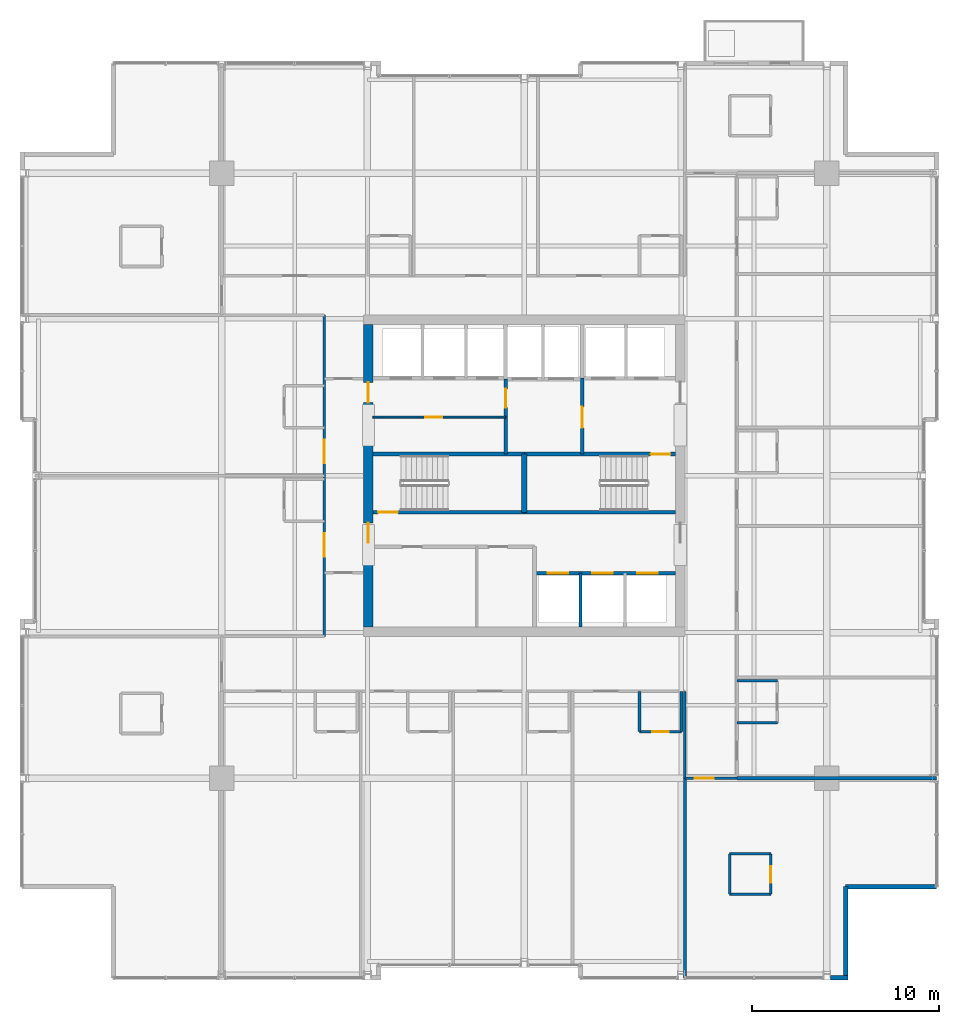
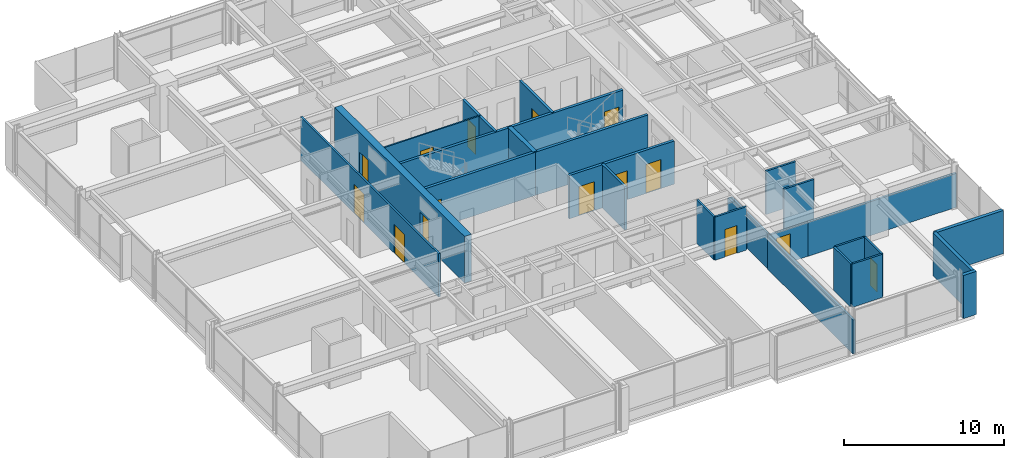
# One storey, part 28 of 33: 28 walls, 15 doors, 15 openings.
"""IFC4 building model written with IfcOpenShell, lengths in metres."""

from ifc_helpers import new_model, si_unit, direction, frame, frame_2d, origin, place, context, subcontext, project, spatial, rectangle, extrude, material, layer, layer_set, type_object, element, fill, save


model = new_model("IFC4")

# Units and contexts
model_context = context("Model", 3, precision=1e-05, world=origin(), true_north=direction((0.0, 1.0)))
body_context = subcontext(model_context, "Body", "Model", "MODEL_VIEW")
ifc_project = project(units=[si_unit("LENGTHUNIT", "METRE"), si_unit("AREAUNIT", "SQUARE_METRE"), si_unit("VOLUMEUNIT", "CUBIC_METRE"), si_unit("PLANEANGLEUNIT", "RADIAN"), si_unit("MASSUNIT", "GRAM", prefix="KILO")], contexts=[model_context])

# Site, building, storey
site_placement = place(None, origin())
site = spatial("IfcSite", under=ifc_project, at=site_placement, CompositionType="ELEMENT")
building_placement = place(site_placement, origin())
building = spatial("IfcBuilding", under=site, at=building_placement, Name="Drelvath Grand Hotel", CompositionType="ELEMENT")
storey_placement = place(building_placement, frame((0.0, 0.0, 171.699951171875)))
storey = spatial("IfcBuildingStorey", under=building, at=storey_placement, Name="L44", CompositionType="ELEMENT", Elevation=171.699951171875)

# Wall, opening, door
ifc_material_1 = material(Name="Gypsum Partition Board")
ifc_layer_1 = layer(ifc_material_1, 0.10009765625)
ifc_layer_set_1 = layer_set([ifc_layer_1], Name="Gypsum Partition Board")
wall_type_1 = type_object("IfcWallType", Name="Core Closet Partition 100", PredefinedType="PARTITIONING", material=ifc_layer_set_1)
wall_1_placement = place(storey_placement, frame((-8.10009765625, 30.139892578125, 0.0), z_axis=(0.0, 0.0, 1.0), x_axis=(1.0, 0.0, 0.0)))
wall_1 = element("IfcWall", 1, at=wall_1_placement, inside=storey, type_object=wall_type_1, Name="L44 High-Rise Lobby Closet Wall", PredefinedType="PARTITIONING", context=body_context, shape_type="SweptSolid", body=[
    extrude(rectangle(XDim=7.10009765625, YDim=0.10009765625, at=frame_2d((3.550048828125, 0.0))), origin(), (0.0, 0.0, 1.0), 3.2900390625),
])
opening_1_placement = place(wall_1_placement, frame((2.800048828125, 0.0, 0.0)))
opening_1 = element("IfcOpeningElement", 2, at=opening_1_placement, cuts=wall_1, Name="Opening D-T3G3-014", PredefinedType="OPENING", context=body_context, shape_type="SweptSolid", body=[
    extrude(rectangle(XDim=0.919921875, YDim=2.10009765625, at=frame_2d((0.4599609375, 1.050048828125))), frame((0.0, 0.06005859375, 0.0), z_axis=(0.0, -1.0, 0.0), x_axis=(1.0, 0.0, 0.0)), (0.0, 0.0, 1.0), 0.1201171875),
])
ifc_material_2 = material(Name="Painted Steel S275", Category="steel")
door_type_1 = type_object("IfcDoorType", Name="Staff Utility Door 920x2100", OperationType="NOTDEFINED", PredefinedType="DOOR", material=ifc_material_2)
door_1_placement = place(opening_1_placement, origin())
door_1 = element("IfcDoor", 3, at=door_1_placement, inside=storey, type_object=door_type_1, Name="L44 Core Telecom Door", OperationType="SINGLE_SWING_LEFT", OverallHeight=2.10009765625, OverallWidth=0.919921875, PredefinedType="DOOR", context=body_context, shape_type="SweptSolid", body=[
    extrude(rectangle(XDim=0.919921875, YDim=2.10009765625, at=frame_2d((0.4599609375, 1.050048828125))), frame((0.0, 0.02490234375, 0.0), z_axis=(0.0, -1.0, 0.0), x_axis=(1.0, 0.0, 0.0)), (0.0, 0.0, 1.0), 0.050048828125),
])
fill(opening_1, door_1)

# Wall, openings, doors
ifc_material_3 = material(Name="Concrete C40/50", Category="concrete")
ifc_layer_2 = layer(ifc_material_3, 0.199951171875)
ifc_layer_set_2 = layer_set([ifc_layer_2], Name="Concrete C40/50")
wall_type_2 = type_object("IfcWallType", Name="Core Hoistway Fire Wall 200", PredefinedType="SOLIDWALL", material=ifc_layer_set_2)
wall_2_placement = place(storey_placement, frame((8.10009765625, 21.780029296875, 0.0), z_axis=(0.0, 0.0, 1.0), x_axis=(-1.0, 0.0, 0.0)))
wall_2 = element("IfcWall", 4, at=wall_2_placement, inside=storey, type_object=wall_type_2, Name="L44 Bank 2 Hoistway Wall", PredefinedType="SOLIDWALL", context=body_context, shape_type="SweptSolid", body=[
    extrude(rectangle(XDim=7.550048828125, YDim=0.199951171875, at=frame_2d((3.77490234375, 0.0))), origin(), (0.0, 0.0, 1.0), 3.2900390625),
])
opening_2_placement = place(wall_2_placement, frame((5.75, 0.0, 0.0)))
opening_2 = element("IfcOpeningElement", 5, at=opening_2_placement, cuts=wall_2, Name="Opening LD-PE-4", PredefinedType="OPENING", context=body_context, shape_type="SweptSolid", body=[
    extrude(rectangle(XDim=1.10009765625, YDim=2.199951171875, at=frame_2d((0.550048828125, 1.10009765625))), frame((0.0, 0.10986328125, 0.0), z_axis=(0.0, -1.0, 0.0), x_axis=(1.0, 0.0, 0.0)), (0.0, 0.0, 1.0), 0.219970703125),
])
opening_3_placement = place(wall_2_placement, frame((3.35009765625, 0.0, 0.0)))
opening_3 = element("IfcOpeningElement", 6, at=opening_3_placement, cuts=wall_2, Name="Opening LD-PE-5", PredefinedType="OPENING", context=body_context, shape_type="SweptSolid", body=[
    extrude(rectangle(XDim=1.10009765625, YDim=2.199951171875, at=frame_2d((0.550048828125, 1.10009765625))), frame((0.0, 0.10986328125, 0.0), z_axis=(0.0, -1.0, 0.0), x_axis=(1.0, 0.0, 0.0)), (0.0, 0.0, 1.0), 0.219970703125),
])
opening_4_placement = place(wall_2_placement, frame((0.949951171875, 0.0, 0.0)))
opening_4 = element("IfcOpeningElement", 7, at=opening_4_placement, cuts=wall_2, Name="Opening LD-PE-6", PredefinedType="OPENING", context=body_context, shape_type="SweptSolid", body=[
    extrude(rectangle(XDim=1.10009765625, YDim=2.199951171875, at=frame_2d((0.550048828125, 1.10009765625))), frame((0.0, 0.10986328125, 0.0), z_axis=(0.0, -1.0, 0.0), x_axis=(1.0, 0.0, 0.0)), (0.0, 0.0, 1.0), 0.219970703125),
])
ifc_material_4 = material(Name="Stainless Steel S355", Category="steel")
door_type_2 = type_object("IfcDoorType", Name="Passenger Lift Sliding Landing Door 1100x2200", OperationType="NOTDEFINED", PredefinedType="DOOR", material=ifc_material_4)
door_2_placement = place(opening_2_placement, origin())
door_2 = element("IfcDoor", 8, at=door_2_placement, inside=storey, type_object=door_type_2, Name="L44 Lift PE-4 Landing Door", OperationType="SLIDING_TO_LEFT", OverallHeight=2.199951171875, OverallWidth=1.10009765625, PredefinedType="DOOR", context=body_context, shape_type="SweptSolid", body=[
    extrude(rectangle(XDim=1.10009765625, YDim=2.199951171875, at=frame_2d((0.550048828125, 1.10009765625))), frame((0.0, 0.02490234375, 0.0), z_axis=(0.0, -1.0, 0.0), x_axis=(1.0, 0.0, 0.0)), (0.0, 0.0, 1.0), 0.050048828125),
])
fill(opening_2, door_2)
door_3_placement = place(opening_3_placement, origin())
door_3 = element("IfcDoor", 9, at=door_3_placement, inside=storey, type_object=door_type_2, Name="L44 Lift PE-5 Landing Door", OperationType="SLIDING_TO_LEFT", OverallHeight=2.199951171875, OverallWidth=1.10009765625, PredefinedType="DOOR", context=body_context, shape_type="SweptSolid", body=[
    extrude(rectangle(XDim=1.10009765625, YDim=2.199951171875, at=frame_2d((0.550048828125, 1.10009765625))), frame((0.0, 0.02490234375, 0.0), z_axis=(0.0, -1.0, 0.0), x_axis=(1.0, 0.0, 0.0)), (0.0, 0.0, 1.0), 0.050048828125),
])
fill(opening_3, door_3)
door_4_placement = place(opening_4_placement, origin())
door_4 = element("IfcDoor", 10, at=door_4_placement, inside=storey, type_object=door_type_2, Name="L44 Lift PE-6 Landing Door", OperationType="SLIDING_TO_LEFT", OverallHeight=2.199951171875, OverallWidth=1.10009765625, PredefinedType="DOOR", context=body_context, shape_type="SweptSolid", body=[
    extrude(rectangle(XDim=1.10009765625, YDim=2.199951171875, at=frame_2d((0.550048828125, 1.10009765625))), frame((0.0, 0.02490234375, 0.0), z_axis=(0.0, -1.0, 0.0), x_axis=(1.0, 0.0, 0.0)), (0.0, 0.0, 1.0), 0.050048828125),
])
fill(opening_4, door_4)

# Wall, opening, door
ifc_layer_3 = layer(ifc_material_3, 0.199951171875)
ifc_layer_set_3 = layer_set([ifc_layer_3], Name="Concrete C40/50")
wall_type_3 = type_object("IfcWallType", Name="Core Shaft Fire Wall 200", PredefinedType="SOLIDWALL", material=ifc_layer_set_3)
wall_3_placement = place(storey_placement, frame((-8.10009765625, 25.0400390625, 0.0), z_axis=(0.0, 0.0, 1.0), x_axis=(1.0, 0.0, 0.0)))
wall_3 = element("IfcWall", 11, at=wall_3_placement, inside=storey, type_object=wall_type_3, Name="L44 Stair ST-1 South Wall", PredefinedType="SOLIDWALL", context=body_context, shape_type="SweptSolid", body=[
    extrude(rectangle(XDim=8.10009765625, YDim=0.199951171875, at=frame_2d((4.050048828125, 0.0))), origin(), (0.0, 0.0, 1.0), 3.2900390625),
])
opening_5_placement = place(wall_3_placement, frame((0.280029296875, 0.0, 0.0)))
opening_5 = element("IfcOpeningElement", 12, at=opening_5_placement, cuts=wall_3, Name="Opening D-T3G3-001", PredefinedType="OPENING", context=body_context, shape_type="SweptSolid", body=[
    extrude(rectangle(XDim=1.050048828125, YDim=2.10009765625, at=frame_2d((0.52490234375, 1.050048828125))), frame((0.0, 0.10986328125, 0.0), z_axis=(0.0, -1.0, 0.0), x_axis=(1.0, 0.0, 0.0)), (0.0, 0.0, 1.0), 0.219970703125),
])
door_type_3 = type_object("IfcDoorType", Name="Tower Stairwell Fire Door 1050x2100", OperationType="NOTDEFINED", PredefinedType="DOOR", material=ifc_material_2)
door_5_placement = place(opening_5_placement, origin())
door_5 = element("IfcDoor", 13, at=door_5_placement, inside=storey, type_object=door_type_3, Name="L44 Exit Stair ST-1 Door", OperationType="SINGLE_SWING_LEFT", OverallHeight=2.10009765625, OverallWidth=1.050048828125, PredefinedType="DOOR", context=body_context, shape_type="SweptSolid", body=[
    extrude(rectangle(XDim=1.050048828125, YDim=2.10009765625, at=frame_2d((0.52490234375, 1.050048828125))), frame((0.0, 0.02490234375, 0.0), z_axis=(0.0, -1.0, 0.0), x_axis=(1.0, 0.0, 0.0)), (0.0, 0.0, 1.0), 0.050048828125),
])
fill(opening_5, door_5)

# Walls
for number, where, z_axis, x_axis, name in (
    (14, (-8.10009765625, 28.159912109375, 0.0), (0.0, 0.0, 1.0), (1.0, 0.0, 0.0), "L44 Stair ST-1 North Wall"),
    (15, (0.0, 25.0400390625, 0.0), (0.0, 0.0, 1.0), (1.0, 0.0, 0.0), "L44 Stair ST-2 South Wall"),
):
    element("IfcWall", number, at=place(storey_placement, frame(where, z_axis=z_axis, x_axis=x_axis)), inside=storey, type_object=wall_type_3, Name=name, PredefinedType="SOLIDWALL", context=body_context, shape_type="SweptSolid", body=[
        extrude(rectangle(XDim=8.10009765625, YDim=0.199951171875, at=frame_2d((4.050048828125, 0.0))), origin(), (0.0, 0.0, 1.0), 3.2900390625),
    ])

# Wall, opening, door
wall_4_placement = place(storey_placement, frame((8.10009765625, 28.159912109375, 0.0), z_axis=(0.0, 0.0, 1.0), x_axis=(-1.0, 0.0, 0.0)))
wall_4 = element("IfcWall", 16, at=wall_4_placement, inside=storey, type_object=wall_type_3, Name="L44 Stair ST-2 North Wall", PredefinedType="SOLIDWALL", context=body_context, shape_type="SweptSolid", body=[
    extrude(rectangle(XDim=8.10009765625, YDim=0.199951171875, at=frame_2d((4.050048828125, 0.0))), origin(), (0.0, 0.0, 1.0), 3.2900390625),
])
opening_6_placement = place(wall_4_placement, frame((0.280029296875, 0.0, 0.0)))
opening_6 = element("IfcOpeningElement", 17, at=opening_6_placement, cuts=wall_4, Name="Opening D-T3G3-002", PredefinedType="OPENING", context=body_context, shape_type="SweptSolid", body=[
    extrude(rectangle(XDim=1.050048828125, YDim=2.10009765625, at=frame_2d((0.52490234375, 1.050048828125))), frame((0.0, 0.10986328125, 0.0), z_axis=(0.0, -1.0, 0.0), x_axis=(1.0, 0.0, 0.0)), (0.0, 0.0, 1.0), 0.219970703125),
])
door_6_placement = place(opening_6_placement, origin())
door_6 = element("IfcDoor", 18, at=door_6_placement, inside=storey, type_object=door_type_3, Name="L44 Exit Stair ST-2 Door", OperationType="SINGLE_SWING_LEFT", OverallHeight=2.10009765625, OverallWidth=1.050048828125, PredefinedType="DOOR", context=body_context, shape_type="SweptSolid", body=[
    extrude(rectangle(XDim=1.050048828125, YDim=2.10009765625, at=frame_2d((0.52490234375, 1.050048828125))), frame((0.0, 0.02490234375, 0.0), z_axis=(0.0, -1.0, 0.0), x_axis=(1.0, 0.0, 0.0)), (0.0, 0.0, 1.0), 0.050048828125),
])
fill(opening_6, door_6)

# Walls
ifc_layer_4 = layer(ifc_material_3, 0.300048828125)
ifc_layer_set_4 = layer_set([ifc_layer_4], Name="Concrete C40/50")
wall_type_4 = type_object("IfcWallType", Name="Core Shaft Fire Wall 300", PredefinedType="SOLIDWALL", material=ifc_layer_set_4)
wall_5_placement = place(storey_placement, frame((0.0, 25.0400390625, 0.0), z_axis=(0.0, 0.0, 1.0), x_axis=(0.0, 1.0, 0.0)))
element("IfcWall", 19, at=wall_5_placement, inside=storey, type_object=wall_type_4, Name="L44 Core Stair Divider Wall", PredefinedType="SOLIDWALL", context=body_context, shape_type="SweptSolid", body=[
    extrude(rectangle(XDim=3.119873046875, YDim=0.300048828125, at=frame_2d((1.56005859375, 0.0))), origin(), (0.0, 0.0, 1.0), 3.2900390625),
])
ifc_material_5 = material(Name="Gypsum Fireboard Partition")
ifc_layer_5 = layer(ifc_material_5, 0.1650390625)
ifc_layer_set_5 = layer_set([ifc_layer_5], Name="Gypsum Fireboard Partition")
wall_type_5 = type_object("IfcWallType", Name="Core Shaft Partition 165", PredefinedType="PARTITIONING", material=ifc_layer_set_5)
wall_6_placement = place(storey_placement, frame((3.0, 18.89990234375, 0.0), z_axis=(0.0, 0.0, 1.0), x_axis=(0.0, 1.0, 0.0)))
element("IfcWall", 20, at=wall_6_placement, inside=storey, type_object=wall_type_5, Name="L44 Lift PE-4/5 Divider", PredefinedType="PARTITIONING", context=body_context, shape_type="SweptSolid", body=[
    extrude(rectangle(XDim=2.880126953125, YDim=0.1650390625, at=frame_2d((1.43994140625, 0.0))), origin(), (0.0, 0.0, 1.0), 3.2900390625),
])
ifc_layer_6 = layer(ifc_material_5, 0.135009765625)
ifc_layer_set_6 = layer_set([ifc_layer_6], Name="Gypsum Fireboard Partition")
wall_type_6 = type_object("IfcWallType", Name="Corridor Fire Barrier Wall 135", PredefinedType="PARTITIONING", material=ifc_layer_set_6)
wall_7_placement = place(storey_placement, frame((8.60009765625, 10.800048828125, 0.0), z_axis=(0.0, 0.0, 1.0), x_axis=(0.0, 1.0, 0.0)))
element("IfcWall", 21, at=wall_7_placement, inside=storey, type_object=wall_type_6, Name="L44 East Spine South Inner Wall", PredefinedType="PARTITIONING", context=body_context, shape_type="SweptSolid", body=[
    extrude(rectangle(XDim=4.64990234375, YDim=0.135009765625, at=frame_2d((2.324951171875, 0.0))), origin(), (0.0, 0.0, 1.0), 2.66748046875),
])

# Wall, openings, doors
wall_8_placement = place(storey_placement, frame((-10.699951171875, 18.39990234375, 0.0), z_axis=(0.0, 0.0, 1.0), x_axis=(0.0, 1.0, 0.0)))
wall_8 = element("IfcWall", 22, at=wall_8_placement, inside=storey, type_object=wall_type_6, Name="L44 West Spine Wall", PredefinedType="PARTITIONING", context=body_context, shape_type="SweptSolid", body=[
    extrude(rectangle(XDim=17.2001953125, YDim=0.135009765625, at=frame_2d((8.60009765625, 0.0))), origin(), (0.0, 0.0, 1.0), 3.2900390625),
])
opening_7_placement = place(wall_8_placement, frame((4.2548828125, 0.0, 0.0)))
opening_7 = element("IfcOpeningElement", 23, at=opening_7_placement, cuts=wall_8, Name="Opening D-T3G3-054", PredefinedType="OPENING", context=body_context, shape_type="SweptSolid", body=[
    extrude(rectangle(XDim=1.260009765625, YDim=2.199951171875, at=frame_2d((0.6298828125, 1.10009765625))), frame((0.0, 0.077392578125, 0.0), z_axis=(0.0, -1.0, 0.0), x_axis=(1.0, 0.0, 0.0)), (0.0, 0.0, 1.0), 0.155029296875),
])
opening_8_placement = place(wall_8_placement, frame((9.2548828125, 0.0, 0.0)))
opening_8 = element("IfcOpeningElement", 24, at=opening_8_placement, cuts=wall_8, Name="Opening D-T3G3-056", PredefinedType="OPENING", context=body_context, shape_type="SweptSolid", body=[
    extrude(rectangle(XDim=1.260009765625, YDim=2.199951171875, at=frame_2d((0.6298828125, 1.10009765625))), frame((0.0, 0.077392578125, 0.0), z_axis=(0.0, -1.0, 0.0), x_axis=(1.0, 0.0, 0.0)), (0.0, 0.0, 1.0), 0.155029296875),
])
ifc_material_6 = material(Name="Hardwood Walnut Timber", Category="wood")
door_type_4 = type_object("IfcDoorType", Name="Suite Entrance Fire Door 1260x2200", OperationType="NOTDEFINED", PredefinedType="DOOR", material=ifc_material_6)
door_7_placement = place(opening_7_placement, origin())
door_7 = element("IfcDoor", 25, at=door_7_placement, inside=storey, type_object=door_type_4, Name="L44 Executive Suite Entry Door", OperationType="SINGLE_SWING_RIGHT", OverallHeight=2.199951171875, OverallWidth=1.260009765625, PredefinedType="DOOR", context=body_context, shape_type="SweptSolid", body=[
    extrude(rectangle(XDim=1.260009765625, YDim=2.199951171875, at=frame_2d((0.6298828125, 1.10009765625))), frame((0.0, 0.02490234375, 0.0), z_axis=(0.0, -1.0, 0.0), x_axis=(1.0, 0.0, 0.0)), (0.0, 0.0, 1.0), 0.050048828125),
])
fill(opening_7, door_7)
door_8_placement = place(opening_8_placement, origin())
door_8 = element("IfcDoor", 26, at=door_8_placement, inside=storey, type_object=door_type_4, Name="L44 Executive Suite Entry Door", OperationType="SINGLE_SWING_RIGHT", OverallHeight=2.199951171875, OverallWidth=1.260009765625, PredefinedType="DOOR", context=body_context, shape_type="SweptSolid", body=[
    extrude(rectangle(XDim=1.260009765625, YDim=2.199951171875, at=frame_2d((0.6298828125, 1.10009765625))), frame((0.0, 0.02490234375, 0.0), z_axis=(0.0, -1.0, 0.0), x_axis=(1.0, 0.0, 0.0)), (0.0, 0.0, 1.0), 0.050048828125),
])
fill(opening_8, door_8)

# Wall, opening, door
wall_9_placement = place(storey_placement, frame((8.60009765625, 10.800048828125, 0.0), z_axis=(0.0, 0.0, 1.0), x_axis=(1.0, 0.0, 0.0)))
wall_9 = element("IfcWall", 27, at=wall_9_placement, inside=storey, type_object=wall_type_6, Name="L44 East Spine South End", PredefinedType="PARTITIONING", context=body_context, shape_type="SweptSolid", body=[
    extrude(rectangle(XDim=2.7998046875, YDim=0.135009765625, at=frame_2d((1.39990234375, 0.0))), origin(), (0.0, 0.0, 1.0), 2.57958984375),
])
opening_9_placement = place(wall_9_placement, frame((0.52001953125, 0.0, 0.0)))
opening_9 = element("IfcOpeningElement", 28, at=opening_9_placement, cuts=wall_9, Name="Opening D-T3G3-029", PredefinedType="OPENING", context=body_context, shape_type="SweptSolid", body=[
    extrude(rectangle(XDim=1.02001953125, YDim=2.14990234375, at=frame_2d((0.510009765625, 1.074951171875))), frame((0.0, 0.077392578125, 0.0), z_axis=(0.0, -1.0, 0.0), x_axis=(1.0, 0.0, 0.0)), (0.0, 0.0, 1.0), 0.155029296875),
])
door_type_5 = type_object("IfcDoorType", Name="Amenity Meeting Fire Door 1020x2150", OperationType="NOTDEFINED", PredefinedType="DOOR", material=ifc_material_6)
door_9_placement = place(opening_9_placement, origin())
door_9 = element("IfcDoor", 29, at=door_9_placement, inside=storey, type_object=door_type_5, Name="L44 Executive Suite Entry Door", OperationType="SINGLE_SWING_LEFT", OverallHeight=2.14990234375, OverallWidth=1.02001953125, PredefinedType="DOOR", context=body_context, shape_type="SweptSolid", body=[
    extrude(rectangle(XDim=1.02001953125, YDim=2.14990234375, at=frame_2d((0.510009765625, 1.074951171875))), frame((0.0, 0.02490234375, 0.0), z_axis=(0.0, -1.0, 0.0), x_axis=(1.0, 0.0, 0.0)), (0.0, 0.0, 1.0), 0.050048828125),
])
fill(opening_9, door_9)

# Walls
ifc_material_7 = material(Name="Moisture-Resistant Gypsum Board")
ifc_layer_7 = layer(ifc_material_7, 0.139892578125)
ifc_layer_set_7 = layer_set([ifc_layer_7], Name="Moisture-Resistant Gypsum Board")
wall_type_7 = type_object("IfcWallType", Name="En-Suite Plumbing Wall 140", PredefinedType="PLUMBINGWALL", material=ifc_layer_set_7)
for number, where, z_axis, x_axis, name in (
    (30, (11.0, 4.60009765625, 0.0), (0.0, 0.0, 1.0), (1.0, 0.0, 0.0), "L44 Corner En-Suite South"),
    (31, (11.0, 6.75, 0.0), (0.0, 0.0, 1.0), (1.0, 0.0, 0.0), "L44 Corner En-Suite North"),
):
    element("IfcWall", number, at=place(storey_placement, frame(where, z_axis=z_axis, x_axis=x_axis)), inside=storey, type_object=wall_type_7, Name=name, PredefinedType="PLUMBINGWALL", context=body_context, shape_type="SweptSolid", body=[
        extrude(rectangle(XDim=2.199951171875, YDim=0.139892578125, at=frame_2d((1.10009765625, 0.0))), origin(), (0.0, 0.0, 1.0), 3.2900390625),
    ])
wall_10_placement = place(storey_placement, frame((11.0, 4.60009765625, 0.0), z_axis=(0.0, 0.0, 1.0), x_axis=(0.0, 1.0, 0.0)))
element("IfcWall", 32, at=wall_10_placement, inside=storey, type_object=wall_type_7, Name="L44 Corner En-Suite West", PredefinedType="PLUMBINGWALL", context=body_context, shape_type="SweptSolid", body=[
    extrude(rectangle(XDim=2.14990234375, YDim=0.139892578125, at=frame_2d((1.074951171875, 0.0))), origin(), (0.0, 0.0, 1.0), 3.2900390625),
])

# Wall, opening, door
wall_11_placement = place(storey_placement, frame((13.199951171875, 4.60009765625, 0.0), z_axis=(0.0, 0.0, 1.0), x_axis=(0.0, 1.0, 0.0)))
wall_11 = element("IfcWall", 33, at=wall_11_placement, inside=storey, type_object=wall_type_7, Name="L44 Corner En-Suite East", PredefinedType="PLUMBINGWALL", context=body_context, shape_type="SweptSolid", body=[
    extrude(rectangle(XDim=2.14990234375, YDim=0.139892578125, at=frame_2d((1.074951171875, 0.0))), origin(), (0.0, 0.0, 1.0), 3.2900390625),
])
opening_10_placement = place(wall_11_placement, frame((0.6201171875, 0.0, 0.0)))
opening_10 = element("IfcOpeningElement", 34, at=opening_10_placement, cuts=wall_11, Name="Opening D-T3G3-028", PredefinedType="OPENING", context=body_context, shape_type="SweptSolid", body=[
    extrude(rectangle(XDim=0.8798828125, YDim=2.10009765625, at=frame_2d((0.43994140625, 1.050048828125))), frame((0.0, 0.079833984375, 0.0), z_axis=(0.0, -1.0, 0.0), x_axis=(1.0, 0.0, 0.0)), (0.0, 0.0, 1.0), 0.159912109375),
])
door_type_6 = type_object("IfcDoorType", Name="En-Suite Bathroom Door 880x2100", OperationType="NOTDEFINED", PredefinedType="DOOR", material=ifc_material_6)
door_10_placement = place(opening_10_placement, origin())
door_10 = element("IfcDoor", 35, at=door_10_placement, inside=storey, type_object=door_type_6, Name="L44 Corner En-Suite Door", OperationType="SINGLE_SWING_RIGHT", OverallHeight=2.10009765625, OverallWidth=0.8798828125, PredefinedType="DOOR", context=body_context, shape_type="SweptSolid", body=[
    extrude(rectangle(XDim=0.8798828125, YDim=2.10009765625, at=frame_2d((0.43994140625, 1.050048828125))), frame((0.0, 0.02490234375, 0.0), z_axis=(0.0, -1.0, 0.0), x_axis=(1.0, 0.0, 0.0)), (0.0, 0.0, 1.0), 0.050048828125),
])
fill(opening_10, door_10)

# Walls
wall_12_placement = place(storey_placement, frame((6.169921875, 15.449951171875, 0.0), z_axis=(0.0, 0.0, 1.0), x_axis=(0.0, -1.0, 0.0)))
element("IfcWall", 36, at=wall_12_placement, inside=storey, type_object=wall_type_7, Name="L44 En-Suite Left Wall", PredefinedType="PLUMBINGWALL", context=body_context, shape_type="SweptSolid", body=[
    extrude(rectangle(XDim=2.14990234375, YDim=0.139892578125, at=frame_2d((1.074951171875, 0.0))), origin(), (0.0, 0.0, 1.0), 3.2900390625),
])
wall_13_placement = place(storey_placement, frame((8.419921875, 15.449951171875, 0.0), z_axis=(0.0, 0.0, 1.0), x_axis=(0.0, -1.0, 0.0)))
element("IfcWall", 37, at=wall_13_placement, inside=storey, type_object=wall_type_7, Name="L44 En-Suite Right Wall", PredefinedType="PLUMBINGWALL", context=body_context, shape_type="SweptSolid", body=[
    extrude(rectangle(XDim=2.14990234375, YDim=0.139892578125, at=frame_2d((1.074951171875, 0.0))), origin(), (0.0, 0.0, 1.0), 2.66748046875),
])

# Wall, opening, door
wall_14_placement = place(storey_placement, frame((6.169921875, 13.300048828125, 0.0), z_axis=(0.0, 0.0, 1.0), x_axis=(1.0, 0.0, 0.0)))
wall_14 = element("IfcWall", 38, at=wall_14_placement, inside=storey, type_object=wall_type_7, Name="L44 En-Suite Front Wall", PredefinedType="PLUMBINGWALL", context=body_context, shape_type="SweptSolid", body=[
    extrude(rectangle(XDim=2.25, YDim=0.139892578125, at=frame_2d((1.125, 0.0))), origin(), (0.0, 0.0, 1.0), 3.2900390625),
])
opening_11_placement = place(wall_14_placement, frame((0.68505859375, 0.0, 0.0)))
opening_11 = element("IfcOpeningElement", 39, at=opening_11_placement, cuts=wall_14, Name="Opening D-T3G3-038", PredefinedType="OPENING", context=body_context, shape_type="SweptSolid", body=[
    extrude(rectangle(XDim=0.8798828125, YDim=2.10009765625, at=frame_2d((0.43994140625, 1.050048828125))), frame((0.0, 0.079833984375, 0.0), z_axis=(0.0, -1.0, 0.0), x_axis=(1.0, 0.0, 0.0)), (0.0, 0.0, 1.0), 0.159912109375),
])
door_11_placement = place(opening_11_placement, origin())
door_11 = element("IfcDoor", 40, at=door_11_placement, inside=storey, type_object=door_type_6, Name="L44 En-Suite Bathroom Door", OperationType="SINGLE_SWING_RIGHT", OverallHeight=2.10009765625, OverallWidth=0.8798828125, PredefinedType="DOOR", context=body_context, shape_type="SweptSolid", body=[
    extrude(rectangle(XDim=0.8798828125, YDim=2.10009765625, at=frame_2d((0.43994140625, 1.050048828125))), frame((0.0, 0.02490234375, 0.0), z_axis=(0.0, -1.0, 0.0), x_axis=(1.0, 0.0, 0.0)), (0.0, 0.0, 1.0), 0.050048828125),
])
fill(opening_11, door_11)

# Walls
for number, where, z_axis, x_axis, name in (
    (41, (11.39990234375, 13.77001953125, 0.0), (0.0, 0.0, 1.0), (1.0, 0.0, 0.0), "L44 En-Suite Left Wall"),
    (42, (11.39990234375, 16.02001953125, 0.0), (0.0, 0.0, 1.0), (1.0, 0.0, 0.0), "L44 En-Suite Right Wall"),
):
    element("IfcWall", number, at=place(storey_placement, frame(where, z_axis=z_axis, x_axis=x_axis)), inside=storey, type_object=wall_type_7, Name=name, PredefinedType="PLUMBINGWALL", context=body_context, shape_type="SweptSolid", body=[
        extrude(rectangle(XDim=2.150146484375, YDim=0.139892578125, at=frame_2d((1.0751953125, 0.0))), origin(), (0.0, 0.0, 1.0), 3.2900390625),
    ])

# Wall, opening, door
ifc_layer_8 = layer(ifc_material_5, 0.179931640625)
ifc_layer_set_8 = layer_set([ifc_layer_8], Name="Gypsum Fireboard Partition")
wall_type_8 = type_object("IfcWallType", Name="FSAE Smoke Lobby Fire Wall 180", PredefinedType="SOLIDWALL", material=ifc_layer_set_8)
wall_15_placement = place(storey_placement, frame((3.10009765625, 28.159912109375, 0.0), z_axis=(0.0, 0.0, 1.0), x_axis=(0.0, 1.0, 0.0)))
wall_15 = element("IfcWall", 43, at=wall_15_placement, inside=storey, type_object=wall_type_8, Name="L44 FSAE Smoke Lobby West Wall", PredefinedType="SOLIDWALL", context=body_context, shape_type="SweptSolid", body=[
    extrude(rectangle(XDim=4.06005859375, YDim=0.179931640625, at=frame_2d((2.030029296875, 0.0))), origin(), (0.0, 0.0, 1.0), 3.2900390625),
])
opening_12_placement = place(wall_15_placement, frame((1.39990234375, 0.0, 0.0)))
opening_12 = element("IfcOpeningElement", 44, at=opening_12_placement, cuts=wall_15, Name="Opening D-T3G3-005", PredefinedType="OPENING", context=body_context, shape_type="SweptSolid", body=[
    extrude(rectangle(XDim=1.1201171875, YDim=2.10009765625, at=frame_2d((0.56005859375, 1.050048828125))), frame((0.0, 0.099853515625, 0.0), z_axis=(0.0, -1.0, 0.0), x_axis=(1.0, 0.0, 0.0)), (0.0, 0.0, 1.0), 0.199951171875),
])
door_type_7 = type_object("IfcDoorType", Name="FSAE Smoke Lobby Fire Door 1120x2100", OperationType="NOTDEFINED", PredefinedType="DOOR", material=ifc_material_2)
door_12_placement = place(opening_12_placement, origin())
door_12 = element("IfcDoor", 45, at=door_12_placement, inside=storey, type_object=door_type_7, Name="L44 FSAE Lobby Service Vestibule Door", OperationType="SINGLE_SWING_RIGHT", OverallHeight=2.10009765625, OverallWidth=1.1201171875, PredefinedType="DOOR", context=body_context, shape_type="SweptSolid", body=[
    extrude(rectangle(XDim=1.1201171875, YDim=2.10009765625, at=frame_2d((0.56005859375, 1.050048828125))), frame((0.0, 0.02490234375, 0.0), z_axis=(0.0, -1.0, 0.0), x_axis=(1.0, 0.0, 0.0)), (0.0, 0.0, 1.0), 0.050048828125),
])
fill(opening_12, door_12)

wall_16_placement = place(storey_placement, frame((-1.0, 28.159912109375, 0.0), z_axis=(0.0, 0.0, 1.0), x_axis=(0.0, 1.0, 0.0)))
wall_16 = element("IfcWall", 46, at=wall_16_placement, inside=storey, type_object=wall_type_8, Name="L44 Service Vestibule West Wall", PredefinedType="SOLIDWALL", context=body_context, shape_type="SweptSolid", body=[
    extrude(rectangle(XDim=4.02001953125, YDim=0.179931640625, at=frame_2d((2.010009765625, 0.0))), origin(), (0.0, 0.0, 1.0), 3.2900390625),
])
opening_13_placement = place(wall_16_placement, frame((2.489990234375, 0.0, 0.0)))
opening_13 = element("IfcOpeningElement", 47, at=opening_13_placement, cuts=wall_16, Name="Opening D-T3G3-009", PredefinedType="OPENING", context=body_context, shape_type="SweptSolid", body=[
    extrude(rectangle(XDim=1.0, YDim=2.10009765625, at=frame_2d((0.5, 1.050048828125))), frame((0.0, 0.099853515625, 0.0), z_axis=(0.0, -1.0, 0.0), x_axis=(1.0, 0.0, 0.0)), (0.0, 0.0, 1.0), 0.199951171875),
])
door_type_8 = type_object("IfcDoorType", Name="Core Service Fire Door 1000x2100", OperationType="NOTDEFINED", PredefinedType="DOOR", material=ifc_material_2)
door_13_placement = place(opening_13_placement, origin())
door_13 = element("IfcDoor", 48, at=door_13_placement, inside=storey, type_object=door_type_8, Name="L44 Service Vestibule West Door", OperationType="SINGLE_SWING_LEFT", OverallHeight=2.10009765625, OverallWidth=1.0, PredefinedType="DOOR", context=body_context, shape_type="SweptSolid", body=[
    extrude(rectangle(XDim=1.0, YDim=2.10009765625, at=frame_2d((0.5, 1.050048828125))), frame((0.0, 0.02490234375, 0.0), z_axis=(0.0, -1.0, 0.0), x_axis=(1.0, 0.0, 0.0)), (0.0, 0.0, 1.0), 0.050048828125),
])
fill(opening_13, door_13)

# Walls
ifc_material_8 = material(Name="Gypsum Acoustic Partition")
ifc_layer_9 = layer(ifc_material_8, 0.1650390625)
ifc_layer_set_9 = layer_set([ifc_layer_9], Name="Gypsum Acoustic Partition")
wall_type_9 = type_object("IfcWallType", Name="Suite Demising Wall 165", PredefinedType="PARTITIONING", material=ifc_layer_set_9)
wall_17_placement = place(storey_placement, frame((8.60009765625, 0.1201171875, 0.0), z_axis=(0.0, 0.0, 1.0), x_axis=(0.0, 1.0, 0.0)))
element("IfcWall", 49, at=wall_17_placement, inside=storey, type_object=wall_type_9, Name="L44 SE Suite West Wall", PredefinedType="PARTITIONING", context=body_context, shape_type="SweptSolid", body=[
    extrude(rectangle(XDim=10.679931640625, YDim=0.1650390625, at=frame_2d((5.33984375, 0.0))), origin(), (0.0, 0.0, 1.0), 2.57958984375),
])
wall_18_placement = place(storey_placement, frame((11.39990234375, 10.800048828125, 0.0), z_axis=(0.0, 0.0, 1.0), x_axis=(1.0, 0.0, 0.0)))
element("IfcWall", 50, at=wall_18_placement, inside=storey, type_object=wall_type_9, Name="L44 SE Suite North Wall", PredefinedType="PARTITIONING", context=body_context, shape_type="SweptSolid", body=[
    extrude(rectangle(XDim=10.68017578125, YDim=0.1650390625, at=frame_2d((5.340087890625, 0.0))), origin(), (0.0, 0.0, 1.0), 2.57958984375),
])
ifc_material_9 = material(Name="Pale-Metal Insulated Aluminium Spandrel Assembly", Category="aluminium")
ifc_layer_10 = layer(ifc_material_9, 0.239990234375)
ifc_layer_set_10 = layer_set([ifc_layer_10], Name="Pale-Metal Insulated Aluminium Spandrel Assembly")
wall_type_10 = type_object("IfcWallType", Name="Tower Insulated Metal Spandrel Closure Wall 240", PredefinedType="STANDARD", material=ifc_layer_set_10)
wall_19_placement = place(storey_placement, frame((17.320068359375, 0.1201171875, 0.0), z_axis=(0.0, 0.0, 1.0), x_axis=(-1.0, 0.0, 0.0)))
element("IfcWall", 51, at=wall_19_placement, inside=storey, type_object=wall_type_10, Name="L44 Corner Pier Spandrel Wall SE3", PredefinedType="STANDARD", context=body_context, shape_type="SweptSolid", body=[
    extrude(rectangle(XDim=0.919921875, YDim=0.239990234375, at=frame_2d((0.4599609375, 0.0))), origin(), (0.0, 0.0, 1.0), 3.2900390625),
])
wall_20_placement = place(storey_placement, frame((22.080078125, 5.0, 0.0), z_axis=(0.0, 0.0, 1.0), x_axis=(-1.0, 0.0, 0.0)))
element("IfcWall", 52, at=wall_20_placement, inside=storey, type_object=wall_type_10, Name="L44 Notched Corner Return Spandrel Wall CSE1", PredefinedType="STANDARD", context=body_context, shape_type="SweptSolid", body=[
    extrude(rectangle(XDim=4.880126953125, YDim=0.239990234375, at=frame_2d((2.43994140625, 0.0))), origin(), (0.0, 0.0, 1.0), 3.2900390625),
])
wall_21_placement = place(storey_placement, frame((17.199951171875, 5.0, 0.0), z_axis=(0.0, 0.0, 1.0), x_axis=(0.0, -1.0, 0.0)))
element("IfcWall", 53, at=wall_21_placement, inside=storey, type_object=wall_type_10, Name="L44 Notched Corner Return Spandrel Wall CSE2", PredefinedType="STANDARD", context=body_context, shape_type="SweptSolid", body=[
    extrude(rectangle(XDim=4.760009765625, YDim=0.239990234375, at=frame_2d((2.3798828125, 0.0))), origin(), (0.0, 0.0, 1.0), 3.2900390625),
])

# Wall, openings, doors
ifc_material_10 = material(Name="Concrete f'c 55 MPa", Category="concrete")
ifc_layer_11 = layer(ifc_material_10, 0.5)
ifc_layer_set_11 = layer_set([ifc_layer_11], Name="Concrete f'c 55 MPa")
wall_type_11 = type_object("IfcWallType", Name="Upper Core RC Shear Wall 500", PredefinedType="SHEAR", material=ifc_layer_set_11)
wall_22_placement = place(storey_placement, frame((-8.35009765625, 18.89990234375, 0.0), z_axis=(0.0, 0.0, 1.0), x_axis=(0.0, 1.0, 0.0)))
wall_22 = element("IfcWall", 54, at=wall_22_placement, inside=storey, type_object=wall_type_11, Name="L44 Central Core Shear Wall W", PredefinedType="SHEAR", context=body_context, shape_type="SweptSolid", body=[
    extrude(rectangle(XDim=16.2001953125, YDim=0.5, at=frame_2d((8.10009765625, 0.0))), origin(), (0.0, 0.0, 1.0), 3.550048828125),
])
opening_14_placement = place(wall_22_placement, frame((12.02001953125, 0.0, 0.0)))
opening_14 = element("IfcOpeningElement", 55, at=opening_14_placement, cuts=wall_22, Name="Opening D-T3G3-013", PredefinedType="OPENING", context=body_context, shape_type="SweptSolid", body=[
    extrude(rectangle(XDim=1.080078125, YDim=2.0400390625, at=frame_2d((0.5400390625, 1.02001953125))), frame((0.0, 0.260009765625, 0.0), z_axis=(0.0, -1.0, 0.0), x_axis=(1.0, 0.0, 0.0)), (0.0, 0.0, 1.0), 0.52001953125),
])
opening_15_placement = place(wall_22_placement, frame((4.5, 0.0, 0.0)))
opening_15 = element("IfcOpeningElement", 56, at=opening_15_placement, cuts=wall_22, Name="Opening D-T3G3-018", PredefinedType="OPENING", context=body_context, shape_type="SweptSolid", body=[
    extrude(rectangle(XDim=1.080078125, YDim=2.0400390625, at=frame_2d((0.5400390625, 1.02001953125))), frame((0.0, 0.260009765625, 0.0), z_axis=(0.0, -1.0, 0.0), x_axis=(1.0, 0.0, 0.0)), (0.0, 0.0, 1.0), 0.52001953125),
])
door_type_9 = type_object("IfcDoorType", Name="Core Corridor Fire Door 1080x2100", OperationType="NOTDEFINED", PredefinedType="DOOR", material=ifc_material_2)
door_14_placement = place(opening_14_placement, origin())
door_14 = element("IfcDoor", 57, at=door_14_placement, inside=storey, type_object=door_type_9, Name="L44 High-Rise Lift Lobby West Door", OperationType="SINGLE_SWING_RIGHT", OverallHeight=2.0400390625, OverallWidth=1.080078125, PredefinedType="DOOR", context=body_context, shape_type="SweptSolid", body=[
    extrude(rectangle(XDim=1.080078125, YDim=2.0400390625, at=frame_2d((0.5400390625, 1.02001953125))), frame((0.0, 0.02490234375, 0.0), z_axis=(0.0, -1.0, 0.0), x_axis=(1.0, 0.0, 0.0)), (0.0, 0.0, 1.0), 0.050048828125),
])
fill(opening_14, door_14)
door_15_placement = place(opening_15_placement, origin())
door_15 = element("IfcDoor", 58, at=door_15_placement, inside=storey, type_object=door_type_9, Name="L44 Mid-Rise Lobby West Door", OperationType="SINGLE_SWING_RIGHT", OverallHeight=2.0400390625, OverallWidth=1.080078125, PredefinedType="DOOR", context=body_context, shape_type="SweptSolid", body=[
    extrude(rectangle(XDim=1.080078125, YDim=2.0400390625, at=frame_2d((0.5400390625, 1.02001953125))), frame((0.0, 0.02490234375, 0.0), z_axis=(0.0, -1.0, 0.0), x_axis=(1.0, 0.0, 0.0)), (0.0, 0.0, 1.0), 0.050048828125),
])
fill(opening_15, door_15)

save(model, "model.ifc")
